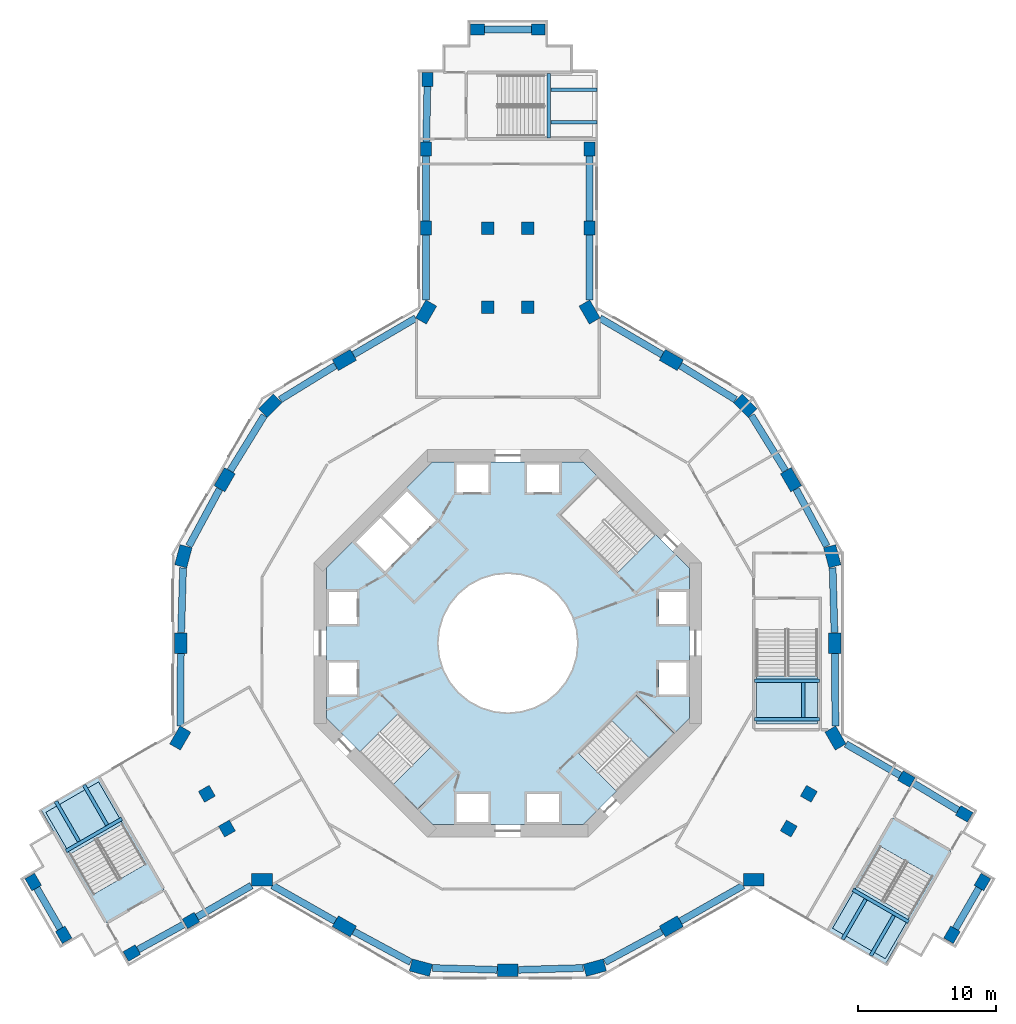
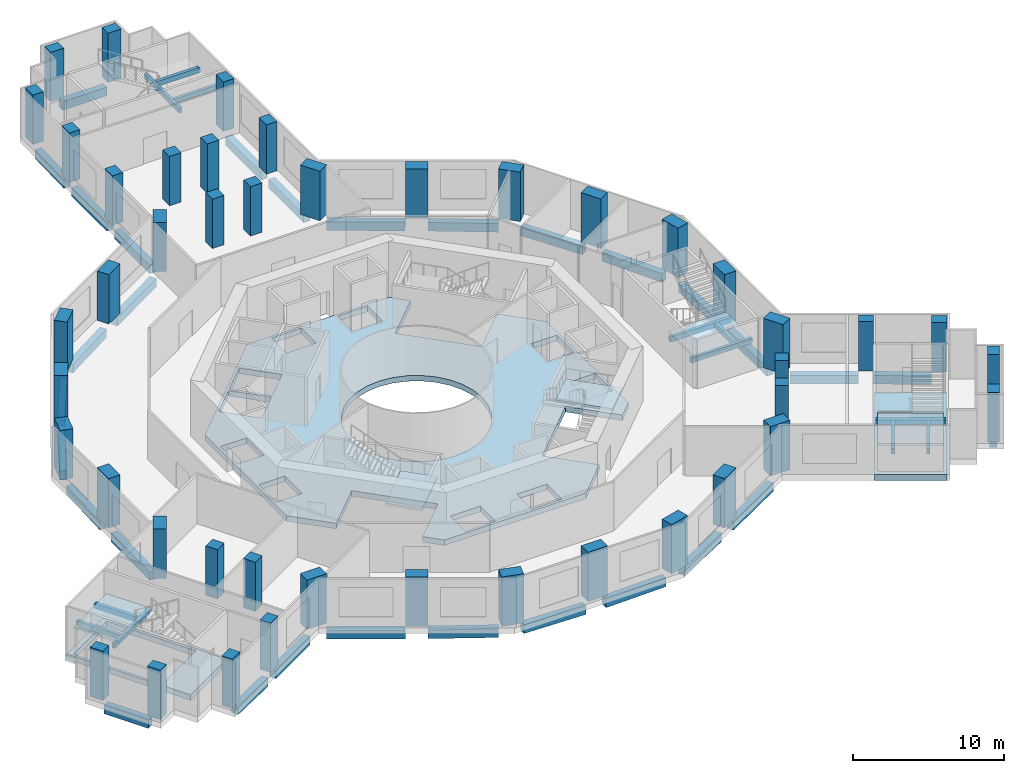
# One storey, part 1 of 20: 44 columns, 42 beams, 8 slabs, 5 elements without a shape of their own.
"""IFC4 building model written with IfcOpenShell, lengths in metres."""

from ifc_helpers import new_model, si_unit, direction, frame, origin, origin_2d, place, context, subcontext, project, spatial, polyline, rectangle, outline, extrude, material, layer, layer_set, material_profile, profile_set, type_object, element, aggregate, save


model = new_model("IFC4")

# Units and contexts
model_context = context("Model", 3, precision=1e-05, world=origin(), true_north=direction((0.0, 1.0)))
body_context = subcontext(model_context, "Body", "Model", "MODEL_VIEW")
ifc_project = project(units=[si_unit("LENGTHUNIT", "METRE"), si_unit("AREAUNIT", "SQUARE_METRE"), si_unit("VOLUMEUNIT", "CUBIC_METRE"), si_unit("PLANEANGLEUNIT", "RADIAN"), si_unit("MASSUNIT", "GRAM", prefix="KILO")], contexts=[model_context])

# Site, building, storey
site_placement = place(None, origin())
site = spatial("IfcSite", under=ifc_project, at=site_placement, CompositionType="ELEMENT")
building_placement = place(site_placement, origin())
building = spatial("IfcBuilding", under=site, at=building_placement, Name="Verdalira Terraces Hotel", CompositionType="ELEMENT")
storey_placement = place(building_placement, frame((0.0, 0.0, 23.5)))
storey = spatial("IfcBuildingStorey", under=building, at=storey_placement, Name="L04", CompositionType="ELEMENT", Elevation=23.5)

# Columns
ifc_material_1 = material(Name="Concrete C80", Category="concrete")
ifc_material_profile_1 = material_profile(ifc_material_1, rectangle(XDim=1.0, YDim=0.800049, at=origin_2d()), Name="RC 1000X800")
ifc_profile_set_1 = profile_set([ifc_material_profile_1], Name="Concrete C80")
column_type_1 = type_object("IfcColumnType", Name="Column RC 1000X800 C80", PredefinedType="COLUMN", material=ifc_profile_set_1)
for number, where, z_axis, x_axis, name in (
    (1, (5.899902, 29.972168, 0.0), (0.0, 0.0, 1.0), (0.0, 1.0, 0.0), "Column C01"),
    (2, (5.899902, 35.686035, 0.0), (0.0, 0.0, 1.0), (0.0, 1.0, 0.0), "Column C02"),
    (3, (-5.800049, 40.699951, 0.0), (0.0, 0.0, 1.0), (0.0, -1.0, 0.0), "Column C03"),
    (4, (-5.899902, 35.686035, 0.0), (0.0, 0.0, 1.0), (0.0, -1.0, 0.0), "Column C04"),
    (5, (-5.899902, 29.972168, 0.0), (0.0, 0.0, 1.0), (0.0, -1.0, 0.0), "Column C05"),
    (6, (-34.268799, -17.244629, 0.0), (0.0, 0.0, 1.0), (0.5, -0.866025404, 0.0), "Column C13"),
    (7, (-32.068848, -21.05542, 0.0), (0.0, 0.0, 1.0), (0.5, -0.866025404, 0.0), "Column C14"),
    (8, (-27.151123, -22.372803, 0.0), (0.0, 0.0, 1.0), (0.866025404, 0.5, 0.0), "Column C15"),
    (9, (-22.882812, -20.02417, 0.0), (0.0, 0.0, 1.0), (0.866025404, 0.5, 0.0), "Column C16"),
    (10, (32.068848, -21.05542, 0.0), (0.0, 0.0, 1.0), (0.5, 0.866025404, 0.0), "Column C24"),
    (11, (34.268799, -17.244629, 0.0), (0.0, 0.0, 1.0), (0.5, 0.866025404, 0.0), "Column C25"),
    (12, (32.951172, -12.327148, 0.0), (0.0, 0.0, 1.0), (-0.866025404, 0.5, 0.0), "Column C26"),
    (13, (28.782715, -9.804932, 0.0), (0.0, 0.0, 1.0), (-0.866025404, 0.5, 0.0), "Column C27"),
    (14, (2.199951, 44.300049, 0.0), (0.0, 0.0, 1.0), (-1.0, 0.0, 0.0), "Column C35"),
    (15, (-2.199951, 44.300049, 0.0), (0.0, 0.0, 1.0), (-1.0, 0.0, 0.0), "Column C36"),
):
    element("IfcColumn", number, at=place(storey_placement, frame(where, z_axis=z_axis, x_axis=x_axis)), inside=storey, type_object=column_type_1, Name=name, PredefinedType="COLUMN", context=body_context, shape_type="SweptSolid", body=[
        extrude(rectangle(XDim=1.0, YDim=0.800049, at=origin_2d()), origin(), (0.0, 0.0, 1.0), 4.0),
    ])
ifc_material_2 = material(Name="Concrete C80", Category="concrete")
ifc_material_profile_2 = material_profile(ifc_material_2, rectangle(XDim=1.5, YDim=0.899902, at=origin_2d()), Name="RC 1500X900")
ifc_profile_set_2 = profile_set([ifc_material_profile_2], Name="Concrete C80")
column_type_2 = type_object("IfcColumnType", Name="Column RC 1500X900 C80", PredefinedType="COLUMN", material=ifc_profile_set_2)
for number, where, z_axis, x_axis, name in (
    (16, (-5.899902, 23.911865, 0.0), (0.0, 0.0, 1.0), (0.5, 0.866025404, 0.0), "Column C06"),
    (17, (-11.804199, 20.445312, 0.0), (0.0, 0.0, 1.0), (-0.866025404, -0.5, 0.0), "Column C07"),
    (18, (-17.150635, 17.150635, 0.0), (0.0, 0.0, 1.0), (0.707106781, 0.707106781, 0.0), "Column C08"),
    (19, (-20.445312, 11.804199, 0.0), (0.0, 0.0, 1.0), (-0.5, -0.866025404, 0.0), "Column C09"),
    (20, (-23.428223, 6.277588, 0.0), (0.0, 0.0, 1.0), (0.258819045, 0.965925826, 0.0), "Column C10"),
    (21, (-23.608398, 0.0, 0.0), (0.0, 0.0, 1.0), (0.0, -1.0, 0.0), "Column C11"),
    (22, (-23.658203, -6.846436, 0.0), (0.0, 0.0, 1.0), (0.5, 0.866025404, 0.0), "Column C12"),
    (23, (-17.758301, -17.06543, 0.0), (0.0, 0.0, 1.0), (-1.0, 0.0, 0.0), "Column C17"),
    (24, (-11.804199, -20.445312, 0.0), (0.0, 0.0, 1.0), (0.866025404, -0.5, 0.0), "Column C18"),
    (25, (-6.277588, -23.428223, 0.0), (0.0, 0.0, 1.0), (-0.965925826, 0.258819045, 0.0), "Column C19"),
    (26, (0.0, -23.608398, 0.0), (0.0, 0.0, 1.0), (1.0, 0.0, 0.0), "Column C20"),
    (27, (6.277588, -23.428223, 0.0), (0.0, 0.0, 1.0), (-0.965925826, -0.258819045, 0.0), "Column C21"),
    (28, (11.804199, -20.445312, 0.0), (0.0, 0.0, 1.0), (0.866025404, 0.5, 0.0), "Column C22"),
    (29, (17.758301, -17.06543, 0.0), (0.0, 0.0, 1.0), (-1.0, 0.0, 0.0), "Column C23"),
    (30, (23.658203, -6.846436, 0.0), (0.0, 0.0, 1.0), (0.5, -0.866025404, 0.0), "Column C28"),
    (31, (23.608398, 0.0, 0.0), (0.0, 0.0, 1.0), (0.0, 1.0, 0.0), "Column C29"),
    (32, (23.428223, 6.277588, 0.0), (0.0, 0.0, 1.0), (0.258819045, -0.965925826, 0.0), "Column C30"),
    (33, (20.445312, 11.804199, 0.0), (0.0, 0.0, 1.0), (-0.5, 0.866025404, 0.0), "Column C31"),
    (34, (17.150635, 17.150635, 0.0), (0.0, 0.0, 1.0), (0.707106781, -0.707106781, 0.0), "Column C32"),
    (35, (11.804199, 20.445312, 0.0), (0.0, 0.0, 1.0), (-0.866025404, 0.5, 0.0), "Column C33"),
    (36, (5.899902, 23.911865, 0.0), (0.0, 0.0, 1.0), (0.5, -0.866025404, 0.0), "Column C34"),
):
    element("IfcColumn", number, at=place(storey_placement, frame(where, z_axis=z_axis, x_axis=x_axis)), inside=storey, type_object=column_type_2, Name=name, PredefinedType="COLUMN", context=body_context, shape_type="SweptSolid", body=[
        extrude(rectangle(XDim=1.5, YDim=0.899902, at=origin_2d()), origin(), (0.0, 0.0, 1.0), 4.0),
    ])
ifc_material_3 = material(Name="Concrete C80", Category="concrete")
ifc_material_profile_3 = material_profile(ifc_material_3, rectangle(XDim=0.899902, YDim=0.899902, at=origin_2d()), Name="RC 900X900")
ifc_profile_set_3 = profile_set([ifc_material_profile_3], Name="Concrete C80")
column_type_3 = type_object("IfcColumnType", Name="Column RC 900X900 C80", PredefinedType="COLUMN", material=ifc_profile_set_3)
for number, where, z_axis, x_axis, name in (
    (37, (1.449951, 24.258301, 0.0), (0.0, 0.0, 1.0), (0.0, 1.0, 0.0), "Column C37"),
    (38, (-1.449951, 24.258301, 0.0), (0.0, 0.0, 1.0), (0.0, 1.0, 0.0), "Column C38"),
    (39, (1.449951, 29.972168, 0.0), (0.0, 0.0, 1.0), (0.0, 1.0, 0.0), "Column C39"),
    (40, (-1.449951, 29.972168, 0.0), (0.0, 0.0, 1.0), (0.0, 1.0, 0.0), "Column C40"),
    (41, (-21.733398, -10.873291, 0.0), (0.0, 0.0, 1.0), (-0.866025404, -0.5, 0.0), "Column C41"),
    (42, (-20.283203, -13.38501, 0.0), (0.0, 0.0, 1.0), (-0.866025404, -0.5, 0.0), "Column C42"),
    (43, (20.283203, -13.38501, 0.0), (0.0, 0.0, 1.0), (0.866025404, -0.5, 0.0), "Column C43"),
    (44, (21.733398, -10.873291, 0.0), (0.0, 0.0, 1.0), (0.866025404, -0.5, 0.0), "Column C44"),
):
    element("IfcColumn", number, at=place(storey_placement, frame(where, z_axis=z_axis, x_axis=x_axis)), inside=storey, type_object=column_type_3, Name=name, PredefinedType="COLUMN", context=body_context, shape_type="SweptSolid", body=[
        extrude(rectangle(XDim=0.899902, YDim=0.899902, at=origin_2d()), origin(), (0.0, 0.0, 1.0), 4.0),
    ])

# Beams
ifc_material_4 = material(Name="Concrete C70", Category="concrete")
ifc_material_profile_4 = material_profile(ifc_material_4, rectangle(XDim=0.5, YDim=0.699951, at=origin_2d()), Name="RC 500X700")
ifc_profile_set_4 = profile_set([ifc_material_profile_4], Name="Concrete C70")
beam_type_1 = type_object("IfcBeamType", Name="Spandrel beam RC 500X700 C70", PredefinedType="SPANDREL", material=ifc_profile_set_4)
beam_1_placement = place(storey_placement, frame((5.899902, 24.786377, -0.800049), z_axis=(0.0, 1.0, 0.0), x_axis=(-1.0, 0.0, 0.0)))
element("IfcBeam", 45, at=beam_1_placement, inside=storey, type_object=beam_type_1, Name="Spandrel beam B01", PredefinedType="SPANDREL", context=body_context, shape_type="SweptSolid", body=[
    extrude(rectangle(XDim=0.5, YDim=0.699951, at=origin_2d()), origin(), (0.0, 0.0, 1.0), 4.685791),
])
beam_2_placement = place(storey_placement, frame((5.899902, 30.472168, -0.800049), z_axis=(0.0, 1.0, 0.0), x_axis=(-1.0, 0.0, 0.0)))
element("IfcBeam", 46, at=beam_2_placement, inside=storey, type_object=beam_type_1, Name="Spandrel beam B02", PredefinedType="SPANDREL", context=body_context, shape_type="SweptSolid", body=[
    extrude(rectangle(XDim=0.5, YDim=0.699951, at=origin_2d()), origin(), (0.0, 0.0, 1.0), 4.713867),
])
beam_3_placement = place(storey_placement, frame((1.699951, 44.300049, -0.800049), z_axis=(-1.0, 0.0, 0.0), x_axis=(0.0, -1.0, 0.0)))
element("IfcBeam", 47, at=beam_3_placement, inside=storey, type_object=beam_type_1, Name="Spandrel beam B03", PredefinedType="SPANDREL", context=body_context, shape_type="SweptSolid", body=[
    extrude(rectangle(XDim=0.5, YDim=0.699951, at=origin_2d()), origin(), (0.0, 0.0, 1.0), 3.399902),
])
beam_4_placement = place(storey_placement, frame((-5.810059, 40.192139, -0.800049), z_axis=(-0.019963048, -0.999800719, 0.0), x_axis=(0.999800719, -0.019963048, 0.0)))
element("IfcBeam", 48, at=beam_4_placement, inside=storey, type_object=beam_type_1, Name="Spandrel beam B04", PredefinedType="SPANDREL", context=body_context, shape_type="SweptSolid", body=[
    extrude(rectangle(XDim=0.5, YDim=0.699951, at=origin_2d()), origin(), (0.0, 0.0, 1.0), 3.999023),
])
beam_5_placement = place(storey_placement, frame((-5.899902, 35.186035, -0.800049), z_axis=(0.0, -1.0, 0.0), x_axis=(1.0, 0.0, 0.0)))
element("IfcBeam", 49, at=beam_5_placement, inside=storey, type_object=beam_type_1, Name="Spandrel beam B05", PredefinedType="SPANDREL", context=body_context, shape_type="SweptSolid", body=[
    extrude(rectangle(XDim=0.5, YDim=0.699951, at=origin_2d()), origin(), (0.0, 0.0, 1.0), 4.713867),
])
beam_6_placement = place(storey_placement, frame((-5.899902, 29.472168, -0.800049), z_axis=(0.0, -1.0, 0.0), x_axis=(1.0, 0.0, 0.0)))
element("IfcBeam", 50, at=beam_6_placement, inside=storey, type_object=beam_type_1, Name="Spandrel beam B06", PredefinedType="SPANDREL", context=body_context, shape_type="SweptSolid", body=[
    extrude(rectangle(XDim=0.5, YDim=0.699951, at=origin_2d()), origin(), (0.0, 0.0, 1.0), 4.685791),
])
beam_7_placement = place(storey_placement, frame((-6.654053, 23.469238, -0.800049), z_axis=(-0.862353622, -0.506306458, 0.0), x_axis=(0.506306458, -0.862353622, 0.0)))
element("IfcBeam", 51, at=beam_7_placement, inside=storey, type_object=beam_type_1, Name="Spandrel beam B07", PredefinedType="SPANDREL", context=body_context, shape_type="SweptSolid", body=[
    extrude(rectangle(XDim=0.5, YDim=0.699951, at=origin_2d()), origin(), (0.0, 0.0, 1.0), 5.21875),
])
for number, where, z_axis, x_axis, name in (
    (52, (-12.453369, 20.04541, -0.800049), (-0.851334227, -0.524623706, 0.0), (0.524623706, -0.851334227, 0.0), "Spandrel beam B08"),
    (53, (-17.588135, 16.440918, -0.800049), (-0.524623706, -0.851334227, 0.0), (0.851334227, -0.524623706, 0.0), "Spandrel beam B09"),
    (54, (-20.807617, 11.133057, -0.800049), (-0.474994751, -0.879988629, 0.0), (0.879988629, -0.474994751, 0.0), "Spandrel beam B10"),
):
    element("IfcBeam", number, at=place(storey_placement, frame(where, z_axis=z_axis, x_axis=x_axis)), inside=storey, type_object=beam_type_1, Name=name, PredefinedType="SPANDREL", context=body_context, shape_type="SweptSolid", body=[
        extrude(rectangle(XDim=0.5, YDim=0.699951, at=origin_2d()), origin(), (0.0, 0.0, 1.0), 4.683838),
    ])
beam_8_placement = place(storey_placement, frame((-23.452148, 5.444336, -0.800049), z_axis=(-0.028666908, -0.99958902, 0.0), x_axis=(0.99958902, -0.028666908, 0.0)))
element("IfcBeam", 55, at=beam_8_placement, inside=storey, type_object=beam_type_1, Name="Spandrel beam B11", PredefinedType="SPANDREL", context=body_context, shape_type="SweptSolid", body=[
    extrude(rectangle(XDim=0.5, YDim=0.699951, at=origin_2d()), origin(), (0.0, 0.0, 1.0), 4.684082),
])
beam_9_placement = place(storey_placement, frame((-23.61377, -0.753174, -0.800049), z_axis=(-0.00729771, -0.999973371, 0.0), x_axis=(0.999973371, -0.00729771, 0.0)))
element("IfcBeam", 56, at=beam_9_placement, inside=storey, type_object=beam_type_1, Name="Spandrel beam B12", PredefinedType="SPANDREL", context=body_context, shape_type="SweptSolid", body=[
    extrude(rectangle(XDim=0.5, YDim=0.699951, at=origin_2d()), origin(), (0.0, 0.0, 1.0), 5.218994),
])
beam_10_placement = place(storey_placement, frame((-34.018799, -17.677734, -0.800049), z_axis=(0.499977295, -0.866038512, 0.0), x_axis=(0.866038512, 0.499977295, 0.0)))
element("IfcBeam", 57, at=beam_10_placement, inside=storey, type_object=beam_type_1, Name="Spandrel beam B13", PredefinedType="SPANDREL", context=body_context, shape_type="SweptSolid", body=[
    extrude(rectangle(XDim=0.5, YDim=0.699951, at=origin_2d()), origin(), (0.0, 0.0, 1.0), 3.400146),
])
beam_11_placement = place(storey_placement, frame((-26.705811, -22.12793, -0.800049), z_axis=(0.876103585, 0.482122918, 0.0), x_axis=(-0.482122918, 0.876103585, 0.0)))
element("IfcBeam", 58, at=beam_11_placement, inside=storey, type_object=beam_type_1, Name="Spandrel beam B14", PredefinedType="SPANDREL", context=body_context, shape_type="SweptSolid", body=[
    extrude(rectangle(XDim=0.5, YDim=0.699951, at=origin_2d()), origin(), (0.0, 0.0, 1.0), 3.855713),
])
beam_12_placement = place(storey_placement, frame((-22.449707, -19.77417, -0.800049), z_axis=(0.866011958, 0.500023288, 0.0), x_axis=(-0.500023288, 0.866011958, 0.0)))
element("IfcBeam", 59, at=beam_12_placement, inside=storey, type_object=beam_type_1, Name="Spandrel beam B15", PredefinedType="SPANDREL", context=body_context, shape_type="SweptSolid", body=[
    extrude(rectangle(XDim=0.5, YDim=0.699951, at=origin_2d()), origin(), (0.0, 0.0, 1.0), 4.542725),
])
beam_13_placement = place(storey_placement, frame((-16.997803, -17.497314, -0.800049), z_axis=(0.869667461, -0.493638034, 0.0), x_axis=(0.493638034, 0.869667461, 0.0)))
element("IfcBeam", 60, at=beam_13_placement, inside=storey, type_object=beam_type_1, Name="Spandrel beam B16", PredefinedType="SPANDREL", context=body_context, shape_type="SweptSolid", body=[
    extrude(rectangle(XDim=0.5, YDim=0.699951, at=origin_2d()), origin(), (0.0, 0.0, 1.0), 5.21875),
])
beam_14_placement = place(storey_placement, frame((-11.133057, -20.807617, -0.800049), z_axis=(0.879988629, -0.474994751, 0.0), x_axis=(0.474994751, 0.879988629, 0.0)))
element("IfcBeam", 61, at=beam_14_placement, inside=storey, type_object=beam_type_1, Name="Spandrel beam B17", PredefinedType="SPANDREL", context=body_context, shape_type="SweptSolid", body=[
    extrude(rectangle(XDim=0.5, YDim=0.699951, at=origin_2d()), origin(), (0.0, 0.0, 1.0), 4.683838),
])
for number, where, z_axis, x_axis, name in (
    (62, (-5.444336, -23.452148, -0.800049), (0.99958902, -0.028666908, 0.0), (0.028666908, 0.99958902, 0.0), "Spandrel beam B18"),
    (63, (0.762207, -23.586426, -0.800049), (0.99958902, 0.028666908, 0.0), (-0.028666908, 0.99958902, 0.0), "Spandrel beam B19"),
):
    element("IfcBeam", number, at=place(storey_placement, frame(where, z_axis=z_axis, x_axis=x_axis)), inside=storey, type_object=beam_type_1, Name=name, PredefinedType="SPANDREL", context=body_context, shape_type="SweptSolid", body=[
        extrude(rectangle(XDim=0.5, YDim=0.699951, at=origin_2d()), origin(), (0.0, 0.0, 1.0), 4.684082),
    ])
beam_15_placement = place(storey_placement, frame((7.01123, -23.032471, -0.800049), z_axis=(0.879988629, 0.474994751, 0.0), x_axis=(-0.474994751, 0.879988629, 0.0)))
element("IfcBeam", 64, at=beam_15_placement, inside=storey, type_object=beam_type_1, Name="Spandrel beam B20", PredefinedType="SPANDREL", context=body_context, shape_type="SweptSolid", body=[
    extrude(rectangle(XDim=0.5, YDim=0.699951, at=origin_2d()), origin(), (0.0, 0.0, 1.0), 4.683838),
])
beam_16_placement = place(storey_placement, frame((12.459229, -20.073486, -0.800049), z_axis=(0.869667461, 0.493638034, 0.0), x_axis=(-0.493638034, 0.869667461, 0.0)))
element("IfcBeam", 65, at=beam_16_placement, inside=storey, type_object=beam_type_1, Name="Spandrel beam B21", PredefinedType="SPANDREL", context=body_context, shape_type="SweptSolid", body=[
    extrude(rectangle(XDim=0.5, YDim=0.699951, at=origin_2d()), origin(), (0.0, 0.0, 1.0), 5.21875),
])
beam_17_placement = place(storey_placement, frame((32.318848, -20.622314, -0.800049), z_axis=(0.499977295, 0.866038512, 0.0), x_axis=(-0.866038512, 0.499977295, 0.0)))
element("IfcBeam", 66, at=beam_17_placement, inside=storey, type_object=beam_type_1, Name="Spandrel beam B22", PredefinedType="SPANDREL", context=body_context, shape_type="SweptSolid", body=[
    extrude(rectangle(XDim=0.5, YDim=0.699951, at=origin_2d()), origin(), (0.0, 0.0, 1.0), 3.400146),
])
beam_18_placement = place(storey_placement, frame((32.516357, -12.063965, -0.800049), z_axis=(-0.855593073, 0.517649006, 0.0), x_axis=(-0.517649006, -0.855593073, 0.0)))
element("IfcBeam", 67, at=beam_18_placement, inside=storey, type_object=beam_type_1, Name="Spandrel beam B23", PredefinedType="SPANDREL", context=body_context, shape_type="SweptSolid", body=[
    extrude(rectangle(XDim=0.5, YDim=0.699951, at=origin_2d()), origin(), (0.0, 0.0, 1.0), 3.855713),
])
beam_19_placement = place(storey_placement, frame((28.349854, -9.554932, -0.800049), z_axis=(-0.86603523, 0.49998298, 0.0), x_axis=(-0.49998298, -0.86603523, 0.0)))
element("IfcBeam", 68, at=beam_19_placement, inside=storey, type_object=beam_type_1, Name="Spandrel beam B24", PredefinedType="SPANDREL", context=body_context, shape_type="SweptSolid", body=[
    extrude(rectangle(XDim=0.5, YDim=0.699951, at=origin_2d()), origin(), (0.0, 0.0, 1.0), 4.542725),
])
beam_20_placement = place(storey_placement, frame((23.651855, -5.971924, -0.800049), z_axis=(-0.00729771, 0.999973371, 0.0), x_axis=(-0.999973371, -0.00729771, 0.0)))
element("IfcBeam", 69, at=beam_20_placement, inside=storey, type_object=beam_type_1, Name="Spandrel beam B25", PredefinedType="SPANDREL", context=body_context, shape_type="SweptSolid", body=[
    extrude(rectangle(XDim=0.5, YDim=0.699951, at=origin_2d()), origin(), (0.0, 0.0, 1.0), 5.218994),
])
beam_21_placement = place(storey_placement, frame((23.586426, 0.762207, -0.800049), z_axis=(-0.028666908, 0.99958902, 0.0), x_axis=(-0.99958902, -0.028666908, 0.0)))
element("IfcBeam", 70, at=beam_21_placement, inside=storey, type_object=beam_type_1, Name="Spandrel beam B26", PredefinedType="SPANDREL", context=body_context, shape_type="SweptSolid", body=[
    extrude(rectangle(XDim=0.5, YDim=0.699951, at=origin_2d()), origin(), (0.0, 0.0, 1.0), 4.684082),
])
for number, where, z_axis, x_axis, name in (
    (71, (23.032471, 7.01123, -0.800049), (-0.474994751, 0.879988629, 0.0), (-0.879988629, -0.474994751, 0.0), "Spandrel beam B27"),
    (72, (20.04541, 12.453369, -0.800049), (-0.524623706, 0.851334227, 0.0), (-0.851334227, -0.524623706, 0.0), "Spandrel beam B28"),
    (73, (16.440918, 17.588135, -0.800049), (-0.851334227, 0.524623706, 0.0), (-0.524623706, -0.851334227, 0.0), "Spandrel beam B29"),
):
    element("IfcBeam", number, at=place(storey_placement, frame(where, z_axis=z_axis, x_axis=x_axis)), inside=storey, type_object=beam_type_1, Name=name, PredefinedType="SPANDREL", context=body_context, shape_type="SweptSolid", body=[
        extrude(rectangle(XDim=0.5, YDim=0.699951, at=origin_2d()), origin(), (0.0, 0.0, 1.0), 4.683838),
    ])
beam_22_placement = place(storey_placement, frame((11.154541, 20.826904, -0.800049), z_axis=(-0.862353622, 0.506306458, 0.0), x_axis=(-0.506306458, -0.862353622, 0.0)))
element("IfcBeam", 74, at=beam_22_placement, inside=storey, type_object=beam_type_1, Name="Spandrel beam B30", PredefinedType="SPANDREL", context=body_context, shape_type="SweptSolid", body=[
    extrude(rectangle(XDim=0.5, YDim=0.699951, at=origin_2d()), origin(), (0.0, 0.0, 1.0), 5.21875),
])
ifc_material_5 = material(Name="Concrete C40", Category="concrete")
ifc_material_profile_5 = material_profile(ifc_material_5, rectangle(XDim=0.25, YDim=0.399902, at=origin_2d()), Name="RC 250X400")
ifc_profile_set_5 = profile_set([ifc_material_profile_5], Name="Concrete C40")
beam_type_2 = type_object("IfcBeamType", Name="Stair landing beam RC 250X400 Concrete C40", PredefinedType="BEAM", material=ifc_profile_set_5)
beam_23_placement = place(storey_placement, frame((2.958008, 36.469971, 1.850098), z_axis=(0.0, 1.0, 0.0), x_axis=(-1.0, 0.0, 0.0)))
element("IfcBeam", 75, at=beam_23_placement, inside=storey, type_object=beam_type_2, Name="Stair landing beam PS1-L04-1", PredefinedType="BEAM", context=body_context, shape_type="SweptSolid", body=[
    extrude(rectangle(XDim=0.25, YDim=0.399902, at=origin_2d()), origin(), (0.0, 0.0, 1.0), 4.659912),
])
for number, where, z_axis, x_axis, name in (
    (76, (3.102539, 39.975098, 1.850098), (1.0, 0.0, 0.0), (0.0, 1.0, 0.0), "Stair landing beam PS1-L04-2"),
    (77, (3.102539, 37.625, 1.850098), (1.0, 0.0, 0.0), (0.0, 1.0, 0.0), "Stair landing beam PS1-L04-3"),
):
    element("IfcBeam", number, at=place(storey_placement, frame(where, z_axis=z_axis, x_axis=x_axis)), inside=storey, type_object=beam_type_2, Name=name, PredefinedType="BEAM", context=body_context, shape_type="SweptSolid", body=[
        extrude(rectangle(XDim=0.25, YDim=0.399902, at=origin_2d()), origin(), (0.0, 0.0, 1.0), 3.327393),
    ])
beam_24_placement = place(storey_placement, frame((-27.866699, -12.67334, 1.850098), z_axis=(-0.866029426, -0.499993034, 0.0), x_axis=(0.499993034, -0.866029426, 0.0)))
element("IfcBeam", 78, at=beam_24_placement, inside=storey, type_object=beam_type_2, Name="Stair landing beam PS2-L04-1", PredefinedType="BEAM", context=body_context, shape_type="SweptSolid", body=[
    extrude(rectangle(XDim=0.25, YDim=0.399902, at=origin_2d()), origin(), (0.0, 0.0, 1.0), 4.660156),
])
for number, where, z_axis, x_axis, name in (
    (79, (-30.974365, -14.300781, 1.850098), (-0.499997657, 0.866026756, 0.0), (-0.866026756, -0.499997657, 0.0), "Stair landing beam PS2-L04-2"),
    (80, (-28.939209, -13.125732, 1.850098), (-0.499997657, 0.866026756, 0.0), (-0.866026756, -0.499997657, 0.0), "Stair landing beam PS2-L04-3"),
):
    element("IfcBeam", number, at=place(storey_placement, frame(where, z_axis=z_axis, x_axis=x_axis)), inside=storey, type_object=beam_type_2, Name=name, PredefinedType="BEAM", context=body_context, shape_type="SweptSolid", body=[
        extrude(rectangle(XDim=0.25, YDim=0.399902, at=origin_2d()), origin(), (0.0, 0.0, 1.0), 3.327637),
    ])
beam_25_placement = place(storey_placement, frame((24.908691, -17.796631, 1.850098), z_axis=(0.866029426, -0.499993034, 0.0), x_axis=(0.499993034, 0.866029426, 0.0)))
element("IfcBeam", 81, at=beam_25_placement, inside=storey, type_object=beam_type_2, Name="Stair landing beam PS3-L04-1", PredefinedType="BEAM", context=body_context, shape_type="SweptSolid", body=[
    extrude(rectangle(XDim=0.25, YDim=0.399902, at=origin_2d()), origin(), (0.0, 0.0, 1.0), 4.660156),
])
beam_26_placement = place(storey_placement, frame((27.87207, -19.674316, 1.850098), z_axis=(-0.500029428, -0.866008413, 0.0), x_axis=(0.866008413, -0.500029428, 0.0)))
element("IfcBeam", 82, at=beam_26_placement, inside=storey, type_object=beam_type_2, Name="Stair landing beam PS3-L04-2", PredefinedType="BEAM", context=body_context, shape_type="SweptSolid", body=[
    extrude(rectangle(XDim=0.25, YDim=0.399902, at=origin_2d()), origin(), (0.0, 0.0, 1.0), 3.327393),
])
beam_27_placement = place(storey_placement, frame((25.836914, -18.499268, 1.850098), z_axis=(-0.499997657, -0.866026756, 0.0), x_axis=(0.866026756, -0.499997657, 0.0)))
element("IfcBeam", 83, at=beam_27_placement, inside=storey, type_object=beam_type_2, Name="Stair landing beam PS3-L04-3", PredefinedType="BEAM", context=body_context, shape_type="SweptSolid", body=[
    extrude(rectangle(XDim=0.25, YDim=0.399902, at=origin_2d()), origin(), (0.0, 0.0, 1.0), 3.327637),
])
for number, where, z_axis, x_axis, name in (
    (84, (17.828369, -2.708008, 1.850098), (1.0, 0.0, 0.0), (0.0, 1.0, 0.0), "Stair landing beam PS4-L04-1"),
    (85, (17.828369, -5.501465, 1.850098), (1.0, 0.0, 0.0), (0.0, 1.0, 0.0), "Stair landing beam PS4-L04-2"),
):
    element("IfcBeam", number, at=place(storey_placement, frame(where, z_axis=z_axis, x_axis=x_axis)), inside=storey, type_object=beam_type_2, Name=name, PredefinedType="BEAM", context=body_context, shape_type="SweptSolid", body=[
        extrude(rectangle(XDim=0.25, YDim=0.399902, at=origin_2d()), origin(), (0.0, 0.0, 1.0), 4.659912),
    ])
beam_28_placement = place(storey_placement, frame((21.333252, -2.852539, 1.850098), z_axis=(0.0, -1.0, 0.0), x_axis=(1.0, 0.0, 0.0)))
element("IfcBeam", 86, at=beam_28_placement, inside=storey, type_object=beam_type_2, Name="Stair landing beam PS4-L04-3", PredefinedType="BEAM", context=body_context, shape_type="SweptSolid", body=[
    extrude(rectangle(XDim=0.25, YDim=0.399902, at=origin_2d()), origin(), (0.0, 0.0, 1.0), 2.504395),
])

# Slab
ifc_material_6 = material(Name="Concrete C40", Category="concrete")
ifc_layer_1 = layer(ifc_material_6, 0.449951171875)
ifc_layer_set_1 = layer_set([ifc_layer_1], Name="Core floor slab 450 mm")
slab_type_1 = type_object("IfcSlabType", Name="Core floor slab 450 mm", PredefinedType="FLOOR", material=ifc_layer_set_1)
slab_1_placement = place(storey_placement, frame((0.0, 0.0, -0.449951)))
element("IfcSlab", 87, at=slab_1_placement, inside=storey, type_object=slab_type_1, Name="L04 core floor", PredefinedType="FLOOR", context=body_context, shape_type="SweptSolid", body=[
    extrude(outline(polyline([(-5.42627, 13.100098), (5.42627, 13.100098), (6.491211, 12.034912), (3.719482, 9.263184), (7.905029, 5.077393), (10.677002, 7.849121), (13.100098, 5.42627), (13.100098, -5.42627), (12.034912, -6.491211), (9.263184, -3.719482), (5.077393, -7.905029), (7.849121, -10.677002), (5.42627, -13.100098), (-5.42627, -13.100098), (-6.491211, -12.034912), (-3.719482, -9.263184), (-7.905029, -5.077393), (-10.677002, -7.849121), (-13.100098, -5.42627), (-13.100098, 5.42627), (-5.42627, 13.100098)]), holes=[polyline([(12.899902, -3.699951), (12.899902, -1.399902), (10.899902, -1.399902), (10.899902, -3.699951), (12.899902, -3.699951)]), polyline([(12.899902, 1.399902), (12.899902, 3.699951), (10.899902, 3.699951), (10.899902, 1.399902), (12.899902, 1.399902)]), polyline([(1.399902, 10.899902), (3.699951, 10.899902), (3.699951, 12.899902), (1.399902, 12.899902), (1.399902, 10.899902)]), polyline([(-3.699951, 10.899902), (-1.399902, 10.899902), (-1.399902, 12.899902), (-3.699951, 12.899902), (-3.699951, 10.899902)]), polyline([(-12.899902, 3.699951), (-12.899902, 1.399902), (-10.899902, 1.399902), (-10.899902, 3.699951), (-12.899902, 3.699951)]), polyline([(-12.899902, -1.399902), (-12.899902, -3.699951), (-10.899902, -3.699951), (-10.899902, -1.399902), (-12.899902, -1.399902)]), polyline([(-1.399902, -10.899902), (-3.699951, -10.899902), (-3.699951, -12.899902), (-1.399902, -12.899902), (-1.399902, -10.899902)]), polyline([(3.699951, -10.899902), (1.399902, -10.899902), (1.399902, -12.899902), (3.699951, -12.899902), (3.699951, -10.899902)]), polyline([(-9.051025, 9.192383), (-6.965088, 7.106445), (-5.197266, 8.874268), (-7.283203, 10.960205), (-9.051025, 9.192383)]), polyline([(-9.192383, 9.051025), (-10.960205, 7.283203), (-8.874268, 5.197266), (-7.106445, 6.965088), (-9.192383, 9.051025)]), polyline([(3.5354, 3.5354), (2.777832, 4.157227), (1.91333, 4.619385), (0.975586, 4.903809), (0.0, 5.0), (-0.975586, 4.903809), (-1.91333, 4.619385), (-2.777832, 4.157227), (-3.5354, 3.5354), (-4.157227, 2.777832), (-4.619385, 1.91333), (-4.903809, 0.975586), (-5.0, 0.0), (-4.903809, -0.975586), (-4.619385, -1.91333), (-4.157227, -2.777832), (-3.5354, -3.5354), (-2.777832, -4.157227), (-1.91333, -4.619385), (-0.975586, -4.903809), (0.0, -5.0), (0.975586, -4.903809), (1.91333, -4.619385), (2.777832, -4.157227), (3.5354, -3.5354), (4.157227, -2.777832), (4.619385, -1.91333), (4.903809, -0.975586), (5.0, 0.0), (4.903809, 0.975586), (4.619385, 1.91333), (4.157227, 2.777832), (3.5354, 3.5354)])]), origin(), (0.0, 0.0, 1.0), 0.449951),
])

# Stair, slab
ifc_material_7 = material(Name="Concrete C40", Category="concrete")
stair_type_1 = type_object("IfcStairType", Name="Core stair 26 risers 1900 mm wide", PredefinedType="HALF_TURN_STAIR", material=ifc_material_7)
stair_1_placement = place(storey_placement, origin())
stair_1 = element("IfcStair", 88, at=stair_1_placement, inside=storey, type_object=stair_type_1, Name="L04 Exit stair ST2", PredefinedType="HALF_TURN_STAIR")
ifc_material_8 = material(Name="Concrete C40", Category="concrete")
ifc_layer_2 = layer(ifc_material_8, 0.199951171875)
ifc_layer_set_2 = layer_set([ifc_layer_2], Name="Core stair landing 200 mm")
slab_type_2 = type_object("IfcSlabType", Name="Core stair landing 200 mm", PredefinedType="LANDING", material=ifc_layer_set_2)
slab_2_placement = place(storey_placement, frame((0.0, 0.0, 2.050049)))
slab_2 = element("IfcSlab", 89, at=slab_2_placement, type_object=slab_type_2, Name="ST2 landing 1", PredefinedType="LANDING", context=body_context, shape_type="SweptSolid", body=[
    extrude(outline(polyline([(-8.301758, -10.224365), (-6.505371, -12.020752), (-3.747559, -9.263184), (-5.544189, -7.466797), (-8.301758, -10.224365)])), origin(), (0.0, 0.0, 1.0), 0.199951),
])
aggregate(stair_1, [slab_2])

stair_2_placement = place(storey_placement, origin())
stair_2 = element("IfcStair", 90, at=stair_2_placement, inside=storey, type_object=stair_type_1, Name="L04 Exit stair ST3", PredefinedType="HALF_TURN_STAIR")
slab_3_placement = place(storey_placement, frame((0.0, 0.0, 2.050049)))
slab_3 = element("IfcSlab", 91, at=slab_3_placement, type_object=slab_type_2, Name="ST3 landing 1", PredefinedType="LANDING", context=body_context, shape_type="SweptSolid", body=[
    extrude(outline(polyline([(10.224365, -8.301758), (12.020752, -6.505371), (9.263184, -3.747559), (7.466797, -5.544189), (10.224365, -8.301758)])), origin(), (0.0, 0.0, 1.0), 0.199951),
])
aggregate(stair_2, [slab_3])

ifc_material_9 = material(Name="Concrete C40", Category="concrete")
stair_type_2 = type_object("IfcStairType", Name="Podium stair 26 risers", PredefinedType="HALF_TURN_STAIR", material=ifc_material_9)
stair_3_placement = place(storey_placement, origin())
stair_3 = element("IfcStair", 92, at=stair_3_placement, inside=storey, type_object=stair_type_2, Name="L04 Exit stair PS2", PredefinedType="HALF_TURN_STAIR")
ifc_material_10 = material(Name="Concrete C40", Category="concrete")
ifc_layer_3 = layer(ifc_material_10, 0.199951171875)
ifc_layer_set_3 = layer_set([ifc_layer_3], Name="Podium stair landing 200 mm")
slab_type_3 = type_object("IfcSlabType", Name="Podium stair landing 200 mm", PredefinedType="LANDING", material=ifc_layer_set_3)
slab_4_placement = place(storey_placement, frame((0.0, 0.0, 2.050049)))
slab_4 = element("IfcSlab", 93, at=slab_4_placement, type_object=slab_type_3, Name="PS2 landing 1", PredefinedType="LANDING", context=body_context, shape_type="SweptSolid", body=[
    extrude(outline(polyline([(-33.362793, -12.216797), (-31.616211, -15.242188), (-27.802979, -13.040771), (-29.549805, -10.015137), (-33.362793, -12.216797)])), origin(), (0.0, 0.0, 1.0), 0.199951),
])
aggregate(stair_3, [slab_4])

stair_4_placement = place(storey_placement, origin())
stair_4 = element("IfcStair", 94, at=stair_4_placement, inside=storey, type_object=stair_type_2, Name="L04 Exit stair PS3", PredefinedType="HALF_TURN_STAIR")
slab_5_placement = place(storey_placement, frame((0.0, 0.0, 2.050049)))
slab_5 = element("IfcSlab", 95, at=slab_5_placement, type_object=slab_type_3, Name="PS3 landing 1", PredefinedType="LANDING", context=body_context, shape_type="SweptSolid", body=[
    extrude(outline(polyline([(27.261475, -22.784912), (29.008301, -19.759277), (25.195068, -17.557861), (23.448242, -20.583252), (27.261475, -22.784912)])), origin(), (0.0, 0.0, 1.0), 0.199951),
])
aggregate(stair_4, [slab_5])

stair_5_placement = place(storey_placement, origin())
stair_5 = element("IfcStair", 96, at=stair_5_placement, inside=storey, type_object=stair_type_2, Name="L04 Exit stair PS4", PredefinedType="HALF_TURN_STAIR")
slab_6_placement = place(storey_placement, frame((0.0, 0.0, 2.050049)))
slab_6 = element("IfcSlab", 97, at=slab_6_placement, type_object=slab_type_3, Name="PS4 landing 1", PredefinedType="LANDING", context=body_context, shape_type="SweptSolid", body=[
    extrude(outline(polyline([(22.359863, -5.851562), (22.359863, -2.35791), (17.956787, -2.35791), (17.956787, -5.851562), (22.359863, -5.851562)])), origin(), (0.0, 0.0, 1.0), 0.199951),
])
aggregate(stair_5, [slab_6])

# Slabs
ifc_material_11 = material(Name="Concrete C40", Category="concrete")
ifc_layer_4 = layer(ifc_material_11, 0.449951171875)
ifc_layer_set_4 = layer_set([ifc_layer_4], Name="Stair enclosure floor slab 450 mm")
slab_type_4 = type_object("IfcSlabType", Name="Stair enclosure floor slab 450 mm", PredefinedType="FLOOR", material=ifc_layer_set_4)
slab_7_placement = place(storey_placement, frame((0.0, 0.0, -0.449951)))
element("IfcSlab", 98, at=slab_7_placement, inside=storey, type_object=slab_type_4, Name="Stair PS2 floor slab", PredefinedType="FLOOR", context=body_context, shape_type="SweptSolid", body=[
    extrude(outline(polyline([(-24.827881, -17.797852), (-28.983887, -20.19751), (-33.733643, -11.970703), (-29.577637, -9.571045), (-24.827881, -17.797852)]), holes=[polyline([(-29.934326, -18.144043), (-26.130859, -15.947998), (-29.551758, -10.022705), (-33.355469, -12.21875), (-29.934326, -18.144043)])]), origin(), (0.0, 0.0, 1.0), 0.449951),
])
slab_8_placement = place(storey_placement, frame((0.0, 0.0, -0.449951)))
element("IfcSlab", 99, at=slab_8_placement, inside=storey, type_object=slab_type_4, Name="Stair PS3 floor slab", PredefinedType="FLOOR", context=body_context, shape_type="SweptSolid", body=[
    extrude(outline(polyline([(27.827393, -12.602539), (31.983398, -15.002197), (27.233643, -23.229004), (23.077637, -20.829346), (27.827393, -12.602539)]), holes=[polyline([(30.68042, -16.851807), (26.876709, -14.656006), (23.455811, -20.581299), (27.259521, -22.777344), (30.68042, -16.851807)])]), origin(), (0.0, 0.0, 1.0), 0.449951),
])

save(model, "model.ifc")
